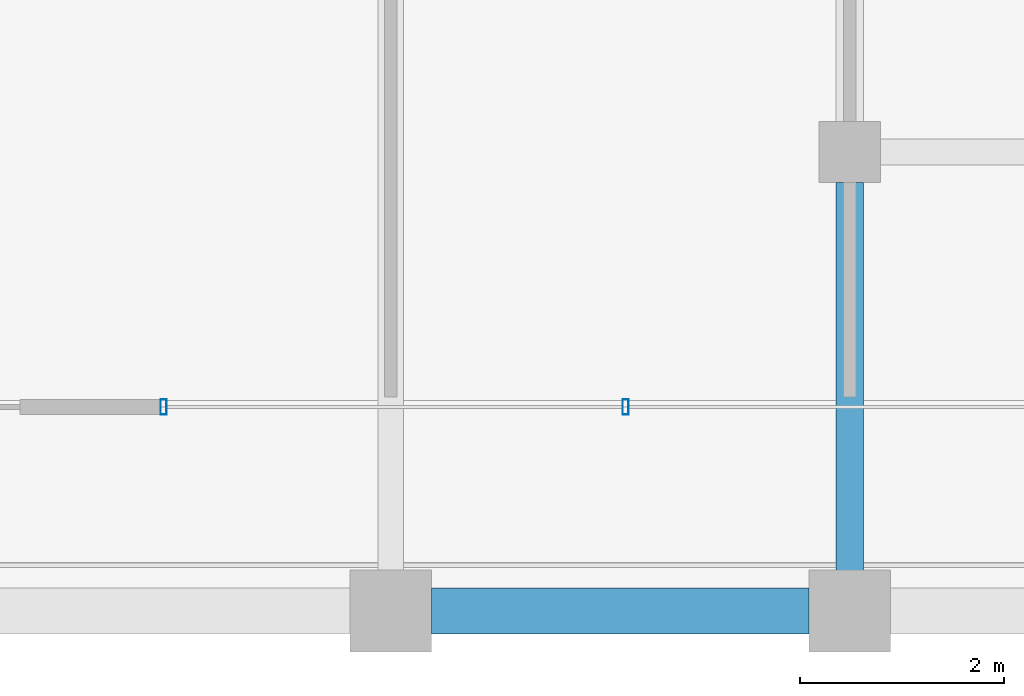
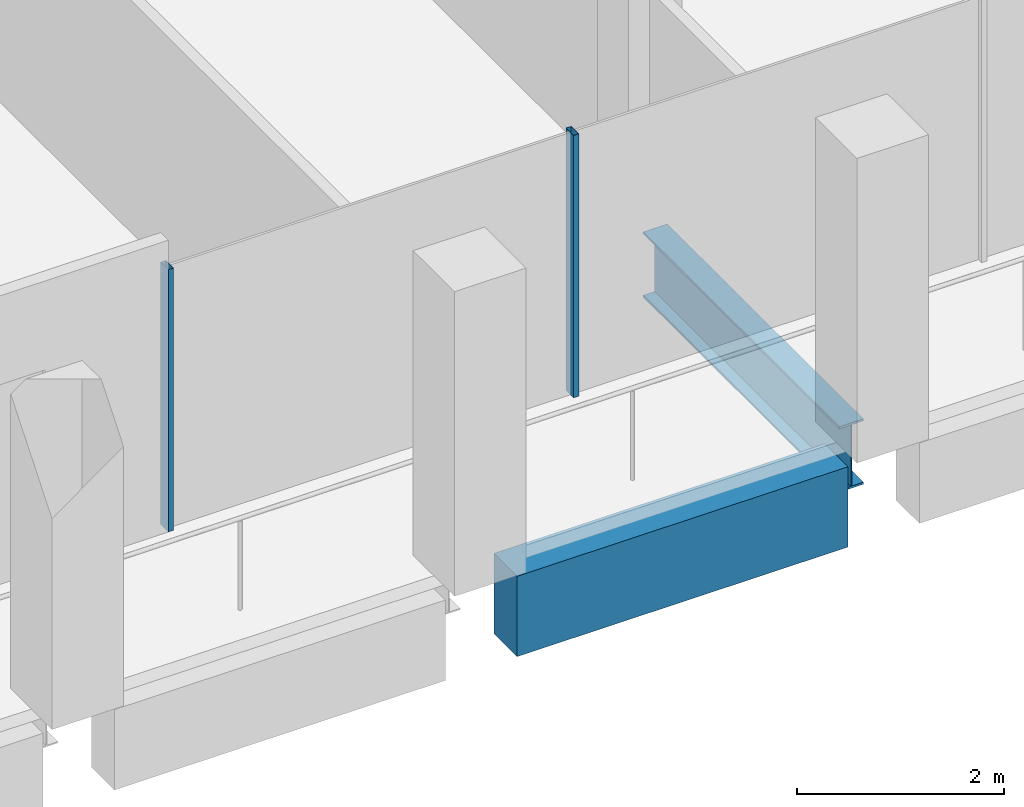
# One storey, part 9 of 30: 2 beams, 2 members, 1 element without a shape of its own.
"""IFC4 building model written with IfcOpenShell, lengths in metres."""

from ifc_helpers import new_model, si_unit, direction, frame, origin, origin_2d, place, context, subcontext, project, spatial, rectangle, hollow_rectangle, i_section, extrude, material, material_profile, profile_set, type_object, element, aggregate, save


model = new_model("IFC4")

# Units and contexts
model_context = context("Model", 3, precision=1e-05, world=origin(), true_north=direction((0.0, 1.0)))
body_context = subcontext(model_context, "Body", "Model", "MODEL_VIEW")
ifc_project = project(units=[si_unit("LENGTHUNIT", "METRE"), si_unit("AREAUNIT", "SQUARE_METRE"), si_unit("VOLUMEUNIT", "CUBIC_METRE"), si_unit("PLANEANGLEUNIT", "RADIAN"), si_unit("MASSUNIT", "GRAM", prefix="KILO")], contexts=[model_context])

# Site, building, storey
site_placement = place(None, origin())
site = spatial("IfcSite", under=ifc_project, at=site_placement, CompositionType="ELEMENT")
building_placement = place(site_placement, origin())
building = spatial("IfcBuilding", under=site, at=building_placement, Name="Altepetl Exchange Towers", CompositionType="ELEMENT")
storey_placement = place(building_placement, frame((0.0, 0.0, 217.199951171875)))
storey = spatial("IfcBuildingStorey", under=building, at=storey_placement, Name="L55", CompositionType="ELEMENT", Elevation=217.199951171875)

# Beam
ifc_material_1 = material(Name="Steel S355", Category="steel")
ifc_material_profile_1 = material_profile(ifc_material_1, i_section(OverallWidth=0.26806640625, OverallDepth=0.77392578125, WebThickness=0.015380859375, FlangeThickness=0.025390625, at=origin_2d()), Name="W30X132")
ifc_profile_set_1 = profile_set([ifc_material_profile_1], Name="Steel S355")
beam_type_1 = type_object("IfcBeamType", Name="Girder W30X132", PredefinedType="BEAM", material=ifc_profile_set_1)
beam_1_placement = place(storey_placement, frame((58.5, 31.199951171875, -0.536865234375), z_axis=(0.0, -1.0, 0.0), x_axis=(1.0, 0.0, 0.0)))
element("IfcBeam", 1, at=beam_1_placement, inside=storey, type_object=beam_type_1, Name="gd:A:L55:005", PredefinedType="BEAM", context=body_context, shape_type="SweptSolid", body=[
    extrude(i_section(OverallWidth=0.26806640625, OverallDepth=0.77392578125, WebThickness=0.015380859375, FlangeThickness=0.025390625, at=origin_2d()), origin(), (0.0, 0.0, 1.0), 3.800048828125),
])

# Curtain wall, members
ifc_material_2 = material(Name="Aluminium 6063-T6 glazing", Category="aluminium")
curtain_wall_type = type_object("IfcCurtainWallType", Name="Loggia glazing system", PredefinedType="NOTDEFINED", material=ifc_material_2)
curtain_wall_placement = place(storey_placement, origin())
curtain_wall = element("IfcCurtainWall", 2, at=curtain_wall_placement, inside=storey, type_object=curtain_wall_type, Name="CW1 run", PredefinedType="NOTDEFINED")
ifc_material_3 = material(Name="Aluminium 6063-T6", Category="aluminium")
ifc_material_profile_2 = material_profile(ifc_material_3, hollow_rectangle(XDim=0.06005859375, YDim=0.14990234375, WallThickness=0.0029296875, at=origin_2d()), Name="Mullion 60x150 aluminium")
ifc_profile_set_2 = profile_set([ifc_material_profile_2], Name="Aluminium 6063-T6")
member_type = type_object("IfcMemberType", Name="Mullion 60x150 aluminium", PredefinedType="MULLION", material=ifc_profile_set_2)
member_1_placement = place(storey_placement, frame((51.77294921875, 29.0, 0.0)))
member_1 = element("IfcMember", 3, at=member_1_placement, type_object=member_type, Name="MU1 mullion", PredefinedType="MULLION", context=body_context, shape_type="SweptSolid", body=[
    extrude(hollow_rectangle(XDim=0.06005859375, YDim=0.14990234375, WallThickness=0.0029296875, at=origin_2d()), origin(), (0.0, 0.0, 1.0), 3.10009765625),
])
member_2_placement = place(storey_placement, frame((56.303466796875, 29.0, 0.0)))
member_2 = element("IfcMember", 4, at=member_2_placement, type_object=member_type, Name="MU1 mullion", PredefinedType="MULLION", context=body_context, shape_type="SweptSolid", body=[
    extrude(hollow_rectangle(XDim=0.06005859375, YDim=0.14990234375, WallThickness=0.0029296875, at=origin_2d()), origin(), (0.0, 0.0, 1.0), 3.10009765625),
])
aggregate(curtain_wall, [member_1, member_2])

# Beam
ifc_material_4 = material(Name="Concrete C50/60 precast with cantera blanca facing", Category="concrete")
ifc_material_profile_3 = material_profile(ifc_material_4, rectangle(XDim=0.449951171875, YDim=0.949951171875, at=origin_2d()), Name="450 x 950")
ifc_profile_set_3 = profile_set([ifc_material_profile_3], Name="Concrete C50/60 precast with cantera blanca facing")
beam_type_2 = type_object("IfcBeamType", Name="Spandrel beam 450x950 cantera blanca", PredefinedType="SPANDREL", material=ifc_profile_set_3)
beam_2_placement = place(storey_placement, frame((54.39990234375, 27.0, -0.625), z_axis=(1.0, 0.0, 0.0), x_axis=(0.0, 1.0, 0.0)))
element("IfcBeam", 5, at=beam_2_placement, inside=storey, type_object=beam_type_2, Name="sp:A:L55:005", PredefinedType="SPANDREL", context=body_context, shape_type="SweptSolid", body=[
    extrude(rectangle(XDim=0.449951171875, YDim=0.949951171875, at=origin_2d()), origin(), (0.0, 0.0, 1.0), 3.7001953125),
])

save(model, "model.ifc")
